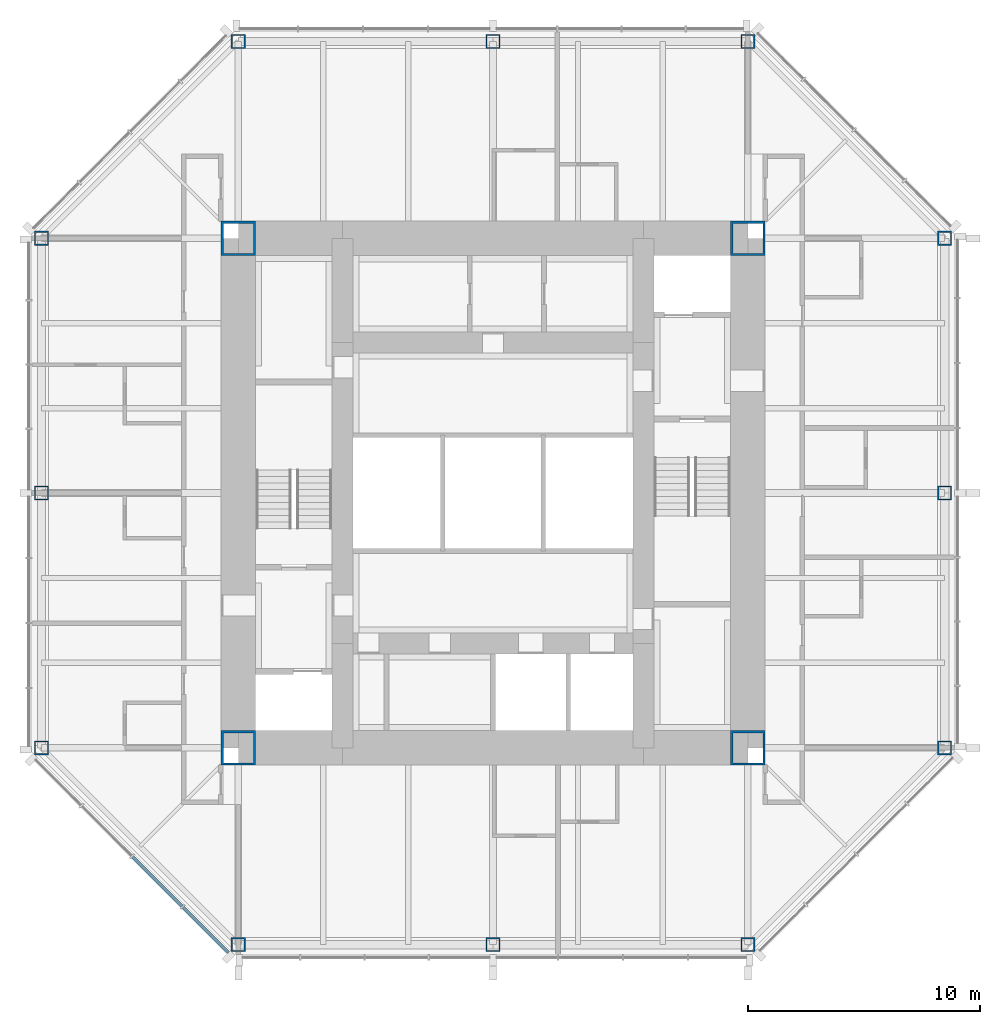
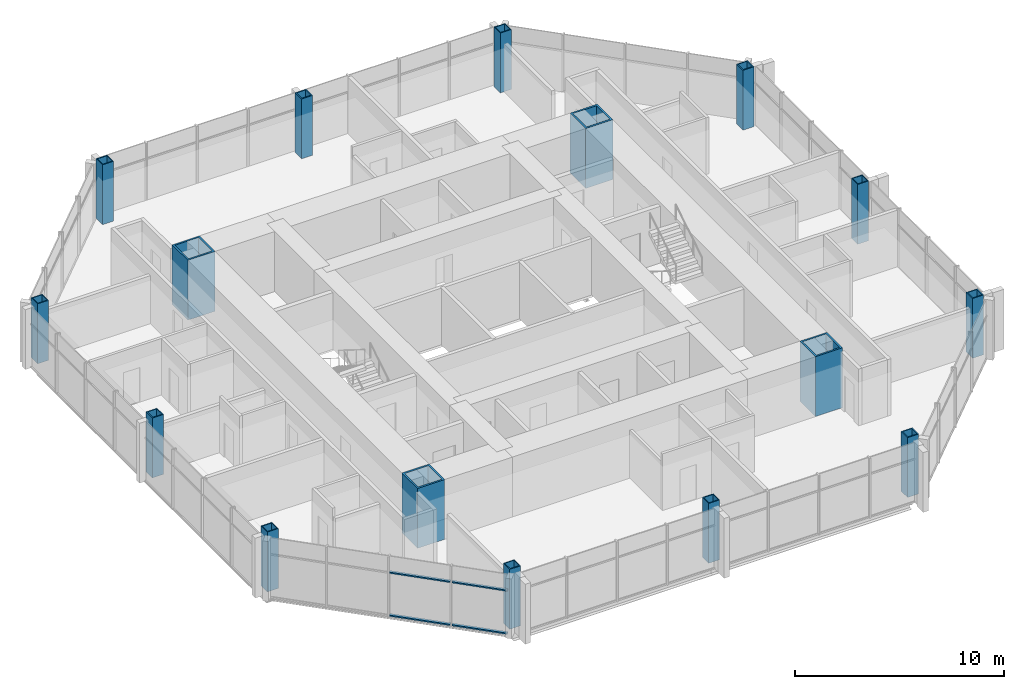
# One storey, part 1 of 11: 16 columns, 4 members, 1 element without a shape of its own.
"""IFC4 building model written with IfcOpenShell, lengths in metres."""

from ifc_helpers import new_model, si_unit, direction, frame, origin, origin_2d, place, context, subcontext, project, spatial, rectangle, hollow_rectangle, extrude, material, material_profile, profile_set, type_object, element, aggregate, save


model = new_model("IFC4")

# Units and contexts
model_context = context("Model", 3, precision=1e-05, world=origin(), true_north=direction((0.0, 1.0)))
body_context = subcontext(model_context, "Body", "Model", "MODEL_VIEW")
ifc_project = project(units=[si_unit("LENGTHUNIT", "METRE"), si_unit("AREAUNIT", "SQUARE_METRE"), si_unit("VOLUMEUNIT", "CUBIC_METRE"), si_unit("PLANEANGLEUNIT", "RADIAN"), si_unit("MASSUNIT", "GRAM", prefix="KILO")], contexts=[model_context])

# Site, building, storey
site_placement = place(None, origin())
site = spatial("IfcSite", under=ifc_project, at=site_placement, CompositionType="ELEMENT")
building_placement = place(site_placement, origin())
building = spatial("IfcBuilding", under=site, at=building_placement, Name="Trevanion Tower", CompositionType="ELEMENT")
storey_placement = place(building_placement, frame((0.0, 0.0, 243.199951171875)))
storey = spatial("IfcBuildingStorey", under=building, at=storey_placement, Name="L59", CompositionType="ELEMENT", Elevation=243.199951171875)

# Columns
ifc_material_1 = material(Name="Steel ASTM A572 Grade 50", Category="steel")
ifc_material_profile_1 = material_profile(ifc_material_1, hollow_rectangle(XDim=0.609619140625, YDim=0.609619140625, WallThickness=0.05078125, at=origin_2d()), Name="BOX24X24X2")
ifc_profile_set_1 = profile_set([ifc_material_profile_1], Name="Steel ASTM A572 Grade 50")
column_type_1 = type_object("IfcColumnType", Name="C5 BOX24X24X2", PredefinedType="COLUMN", material=ifc_profile_set_1)
for number, where, z_axis, x_axis, name in (
    (1, (-19.5, 0.0, 0.0), (0.0, 0.0, 1.0), (0.0, 1.0, 0.0), "C5 5/H L59"),
    (2, (-19.5, -11.0, 0.0), (0.0, 0.0, 1.0), (0.0, 1.0, 0.0), "C5 5/F L59"),
    (3, (-11.0, -19.5, 0.0), (0.0, 0.0, 1.0), (1.0, 0.0, 0.0), "C5 8/C L59"),
    (4, (0.0, -19.5, 0.0), (0.0, 0.0, 1.0), (1.0, 0.0, 0.0), "C5 10/C L59"),
    (5, (11.0, -19.5, 0.0), (0.0, 0.0, 1.0), (1.0, 0.0, 0.0), "C5 12/C L59"),
    (6, (19.5, -11.0, 0.0), (0.0, 0.0, 1.0), (0.0, 1.0, 0.0), "C5 15/F L59"),
    (7, (19.5, 0.0, 0.0), (0.0, 0.0, 1.0), (0.0, 1.0, 0.0), "C5 15/H L59"),
    (8, (19.5, 11.0, 0.0), (0.0, 0.0, 1.0), (0.0, 1.0, 0.0), "C5 15/K L59"),
    (9, (11.0, 19.5, 0.0), (0.0, 0.0, 1.0), (1.0, 0.0, 0.0), "C5 12/N L59"),
    (10, (0.0, 19.5, 0.0), (0.0, 0.0, 1.0), (1.0, 0.0, 0.0), "C5 10/N L59"),
    (11, (-11.0, 19.5, 0.0), (0.0, 0.0, 1.0), (1.0, 0.0, 0.0), "C5 8/N L59"),
    (12, (-19.5, 11.0, 0.0), (0.0, 0.0, 1.0), (0.0, 1.0, 0.0), "C5 5/K L59"),
):
    element("IfcColumn", number, at=place(storey_placement, frame(where, z_axis=z_axis, x_axis=x_axis)), inside=storey, type_object=column_type_1, Name=name, PredefinedType="COLUMN", context=body_context, shape_type="SweptSolid", body=[
        extrude(hollow_rectangle(XDim=0.609619140625, YDim=0.609619140625, WallThickness=0.05078125, at=origin_2d()), origin(), (0.0, 0.0, 1.0), 3.5),
    ])
ifc_material_2 = material(Name="Steel ASTM A572 Grade 50", Category="steel")
ifc_material_profile_2 = material_profile(ifc_material_2, hollow_rectangle(XDim=1.49853515625, YDim=1.49853515625, WallThickness=0.1015625, at=origin_2d()), Name="BOX59X59X4")
ifc_profile_set_2 = profile_set([ifc_material_profile_2], Name="Steel ASTM A572 Grade 50")
column_type_2 = type_object("IfcColumnType", Name="CB1 BOX59X59X4", PredefinedType="COLUMN", material=ifc_profile_set_2)
for number, where, z_axis, x_axis, name in (
    (13, (11.0, 11.0, 0.0), (0.0, 0.0, 1.0), (1.0, 0.0, 0.0), "CB1 NE L59"),
    (14, (-11.0, 11.0, 0.0), (0.0, 0.0, 1.0), (1.0, 0.0, 0.0), "CB1 NW L59"),
    (15, (-11.0, -11.0, 0.0), (0.0, 0.0, 1.0), (1.0, 0.0, 0.0), "CB1 SW L59"),
    (16, (11.0, -11.0, 0.0), (0.0, 0.0, 1.0), (1.0, 0.0, 0.0), "CB1 SE L59"),
):
    element("IfcColumn", number, at=place(storey_placement, frame(where, z_axis=z_axis, x_axis=x_axis)), inside=storey, type_object=column_type_2, Name=name, PredefinedType="COLUMN", context=body_context, shape_type="SweptSolid", body=[
        extrude(hollow_rectangle(XDim=1.49853515625, YDim=1.49853515625, WallThickness=0.1015625, at=origin_2d()), origin(), (0.0, 0.0, 1.0), 3.5),
    ])

# Curtain wall, members
ifc_material_3 = material(Name="Aluminium and glass", Category="aluminium")
curtain_wall_type = type_object("IfcCurtainWallType", Name="CW3 curtain wall", PredefinedType="USERDEFINED", material=ifc_material_3)
curtain_wall_placement = place(storey_placement, origin())
curtain_wall = element("IfcCurtainWall", 17, at=curtain_wall_placement, inside=storey, type_object=curtain_wall_type, Name="CW3 L59 5", ObjectType="UNITISED CURTAIN WALL", PredefinedType="USERDEFINED")
ifc_material_4 = material(Name="Aluminium extrusion, anodised bronze", Category="aluminium")
ifc_material_profile_3 = material_profile(ifc_material_4, rectangle(XDim=0.14990234375, YDim=0.074951171875, at=origin_2d()), Name="CW3 transom")
ifc_profile_set_3 = profile_set([ifc_material_profile_3], Name="Aluminium extrusion, anodised bronze")
member_type = type_object("IfcMemberType", Name="CW3 transom", PredefinedType="USERDEFINED", material=ifc_profile_set_3)
member_1_placement = place(storey_placement, frame((-15.56640625, -15.71142578125, -0.15234375), z_axis=(0.707106781187, -0.707106781187, 0.0), x_axis=(0.707106781187, 0.707106781187, 0.0)))
member_1 = element("IfcMember", 18, at=member_1_placement, type_object=member_type, Name="CW3 transom 3.1", ObjectType="TRANSOM", PredefinedType="USERDEFINED", context=body_context, shape_type="SweptSolid", body=[
    extrude(rectangle(XDim=0.14990234375, YDim=0.074951171875, at=origin_2d()), origin(), (0.0, 0.0, 1.0), 3.011474609375),
])
member_2_placement = place(storey_placement, frame((-15.56640625, -15.71142578125, 2.360107421875), z_axis=(0.707106781187, -0.707106781187, 0.0), x_axis=(0.707106781187, 0.707106781187, 0.0)))
member_2 = element("IfcMember", 19, at=member_2_placement, type_object=member_type, Name="CW3 transom 3.2", ObjectType="TRANSOM", PredefinedType="USERDEFINED", context=body_context, shape_type="SweptSolid", body=[
    extrude(rectangle(XDim=0.14990234375, YDim=0.074951171875, at=origin_2d()), origin(), (0.0, 0.0, 1.0), 3.011474609375),
])
member_3_placement = place(storey_placement, frame((-13.3837890625, -17.89404296875, -0.15234375), z_axis=(0.707106781187, -0.707106781187, 0.0), x_axis=(0.707106781187, 0.707106781187, 0.0)))
member_3 = element("IfcMember", 20, at=member_3_placement, type_object=member_type, Name="CW3 transom 4.1", ObjectType="TRANSOM", PredefinedType="USERDEFINED", context=body_context, shape_type="SweptSolid", body=[
    extrude(rectangle(XDim=0.14990234375, YDim=0.074951171875, at=origin_2d()), origin(), (0.0, 0.0, 1.0), 2.7490234375),
])
member_4_placement = place(storey_placement, frame((-13.3837890625, -17.89404296875, 2.360107421875), z_axis=(0.707106781187, -0.707106781187, 0.0), x_axis=(0.707106781187, 0.707106781187, 0.0)))
member_4 = element("IfcMember", 21, at=member_4_placement, type_object=member_type, Name="CW3 transom 4.2", ObjectType="TRANSOM", PredefinedType="USERDEFINED", context=body_context, shape_type="SweptSolid", body=[
    extrude(rectangle(XDim=0.14990234375, YDim=0.074951171875, at=origin_2d()), origin(), (0.0, 0.0, 1.0), 2.7490234375),
])
aggregate(curtain_wall, [member_1, member_2, member_3, member_4])

save(model, "model.ifc")
